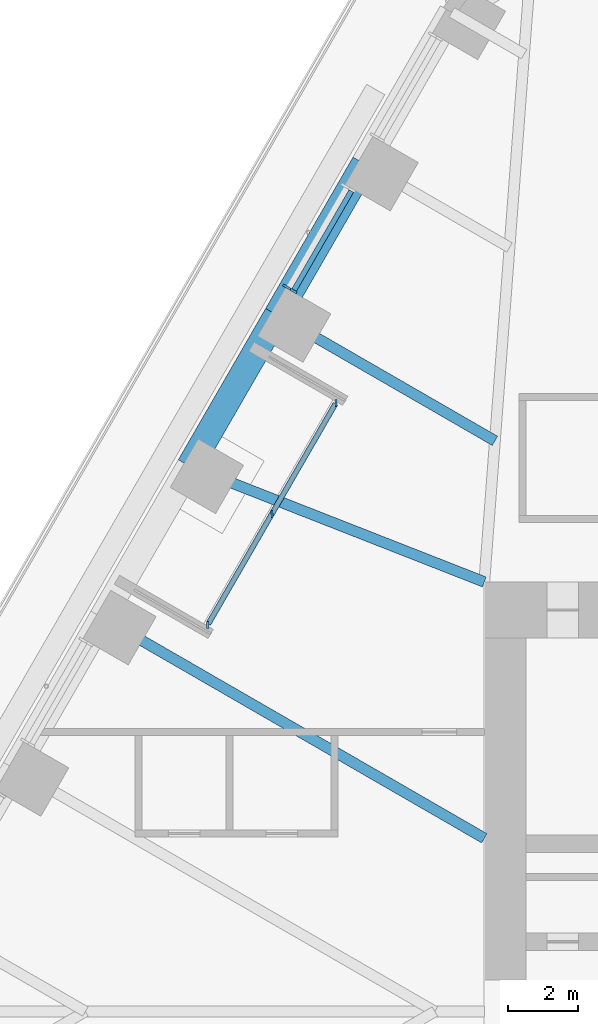
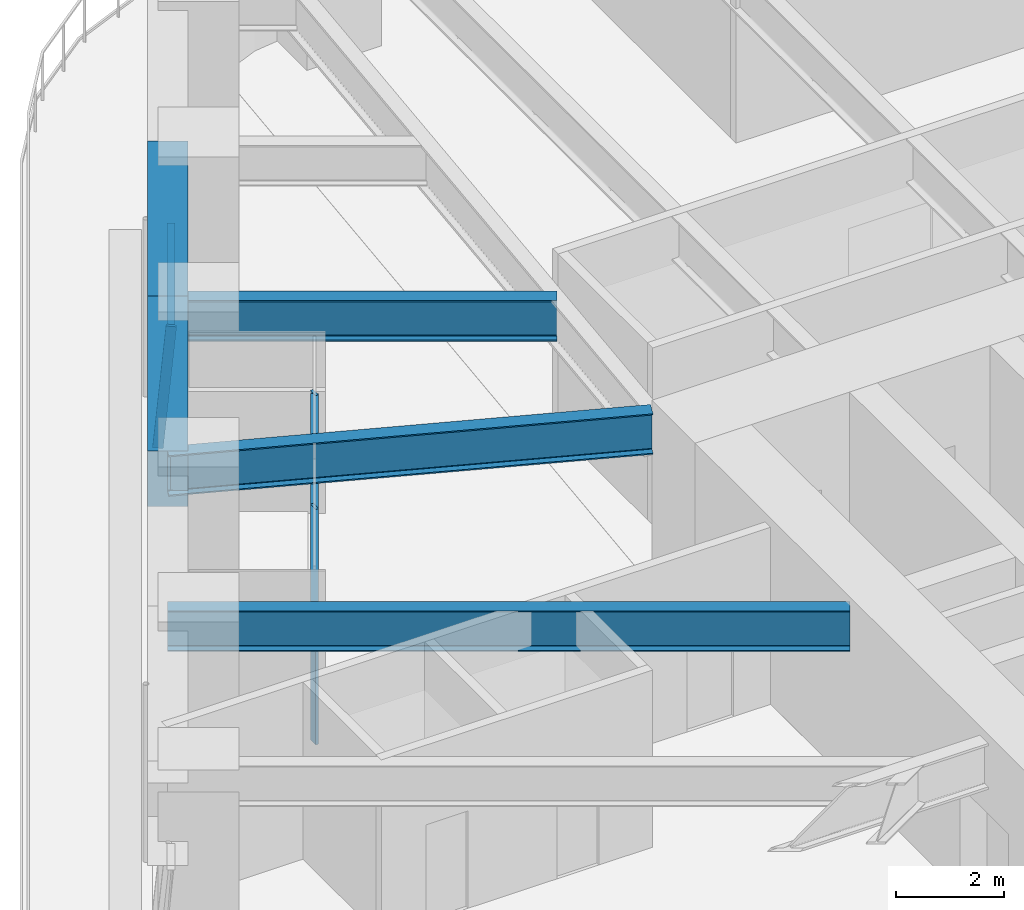
# One storey, part 8 of 24: 6 members, 5 beams, 2 elements without a shape of their own.
"""IFC4 building model written with IfcOpenShell, lengths in metres."""

from ifc_helpers import new_model, si_unit, direction, frame, origin, origin_2d, place, context, subcontext, project, spatial, rectangle, i_section, extrude, material, material_profile, profile_set, type_object, element, aggregate, save


model = new_model("IFC4")

# Units and contexts
model_context = context("Model", 3, precision=1e-05, world=origin(), true_north=direction((0.0, 1.0)))
body_context = subcontext(model_context, "Body", "Model", "MODEL_VIEW")
ifc_project = project(units=[si_unit("LENGTHUNIT", "METRE"), si_unit("AREAUNIT", "SQUARE_METRE"), si_unit("VOLUMEUNIT", "CUBIC_METRE"), si_unit("PLANEANGLEUNIT", "RADIAN"), si_unit("MASSUNIT", "GRAM", prefix="KILO")], contexts=[model_context])

# Site, building, storey
site_placement = place(None, origin())
site = spatial("IfcSite", under=ifc_project, at=site_placement, CompositionType="ELEMENT")
building_placement = place(site_placement, origin())
building = spatial("IfcBuilding", under=site, at=building_placement, Name="Tarfa Lantern Tower", CompositionType="ELEMENT")
storey_placement = place(building_placement, frame((0.0, 0.0, 140.5)))
storey = spatial("IfcBuildingStorey", under=building, at=storey_placement, Name="L31", CompositionType="ELEMENT", Elevation=140.5)

# Curtain wall, member
ifc_material_1 = material(Name="Aluminium framed curtain wall", Category="aluminium")
curtain_wall_type_1 = type_object("IfcCurtainWallType", Name="CW2 CANTED GLAZING MID ZONE 2750", PredefinedType="USERDEFINED", material=ifc_material_1)
curtain_wall_1_placement = place(storey_placement, origin())
curtain_wall_1 = element("IfcCurtainWall", 1, at=curtain_wall_1_placement, inside=storey, type_object=curtain_wall_type_1, Name="CW2 NW L31", ObjectType="CURTAIN WALL", PredefinedType="USERDEFINED")
ifc_material_2 = material(Name="Aluminium mullion", Category="aluminium")
ifc_material_profile_1 = material_profile(ifc_material_2, rectangle(XDim=0.06494140625, YDim=0.199951171875, at=origin_2d()), Name="AL MULLION 65x200")
ifc_profile_set_1 = profile_set([ifc_material_profile_1], Name="Aluminium mullion")
member_type_1 = type_object("IfcMemberType", Name="CWM1 MULLION 65x200", PredefinedType="MULLION", material=ifc_profile_set_1)
member_1_placement = place(storey_placement, frame((-24.275146484375, 20.75439453125, 0.0), z_axis=(0.078422950161, -0.045267813396, 0.995891894715), x_axis=(0.499919672301, 0.866071776036, 0.0)))
member_1 = element("IfcMember", 2, at=member_1_placement, type_object=member_type_1, Name="CW2 mullion 2", PredefinedType="MULLION", context=body_context, shape_type="SweptSolid", body=[
    extrude(rectangle(XDim=0.06494140625, YDim=0.199951171875, at=origin_2d()), origin(), (0.0, 0.0, 1.0), 2.76123046875),
])

# Curtain wall, members
curtain_wall_type_2 = type_object("IfcCurtainWallType", Name="CW10 LOGGIA GLAZING 2750", PredefinedType="USERDEFINED", material=ifc_material_1)
curtain_wall_2_placement = place(storey_placement, origin())
curtain_wall_2 = element("IfcCurtainWall", 3, at=curtain_wall_2_placement, inside=storey, type_object=curtain_wall_type_2, Name="CW10 NWL L31", ObjectType="CURTAIN WALL", PredefinedType="USERDEFINED")
member_2_placement = place(storey_placement, frame((-22.84619140625, 17.429443359375, 0.0), z_axis=(0.0, 0.0, 1.0), x_axis=(1.0, 0.0, 0.0)))
member_2 = element("IfcMember", 4, at=member_2_placement, type_object=member_type_1, Name="CW10 mullion 1", PredefinedType="MULLION", context=body_context, shape_type="SweptSolid", body=[
    extrude(rectangle(XDim=0.06494140625, YDim=0.199951171875, at=origin_2d()), origin(), (0.0, 0.0, 1.0), 2.75),
])
member_3_placement = place(storey_placement, frame((-24.681640625, 14.25, 0.0), z_axis=(0.0, 0.0, 1.0), x_axis=(1.0, 0.0, 0.0)))
member_3 = element("IfcMember", 5, at=member_3_placement, type_object=member_type_1, Name="CW10 mullion 2", PredefinedType="MULLION", context=body_context, shape_type="SweptSolid", body=[
    extrude(rectangle(XDim=0.06494140625, YDim=0.199951171875, at=origin_2d()), origin(), (0.0, 0.0, 1.0), 2.75),
])
member_4_placement = place(storey_placement, frame((-26.517333984375, 11.070556640625, 0.0), z_axis=(0.0, 0.0, 1.0), x_axis=(1.0, 0.0, 0.0)))
member_4 = element("IfcMember", 6, at=member_4_placement, type_object=member_type_1, Name="CW10 mullion 3", PredefinedType="MULLION", context=body_context, shape_type="SweptSolid", body=[
    extrude(rectangle(XDim=0.06494140625, YDim=0.199951171875, at=origin_2d()), origin(), (0.0, 0.0, 1.0), 2.75),
])

# Member
ifc_material_3 = material(Name="Aluminium transom", Category="aluminium")
ifc_material_profile_2 = material_profile(ifc_material_3, rectangle(XDim=0.14990234375, YDim=0.06494140625, at=origin_2d()), Name="AL TRANSOM 150x65")
ifc_profile_set_2 = profile_set([ifc_material_profile_2], Name="Aluminium transom")
member_type_2 = type_object("IfcMemberType", Name="CWT1 TRANSOM 150x65", PredefinedType="USERDEFINED", material=ifc_profile_set_2)
member_5_placement = place(storey_placement, frame((-22.407958984375, 23.494140625, 2.717529296875), z_axis=(-0.500012937857, -0.86601793398, 0.0), x_axis=(0.86601793398, -0.500012937857, 0.0)))
member_5 = element("IfcMember", 7, at=member_5_placement, type_object=member_type_2, Name="CW2 transom 1.2", ObjectType="TRANSOM", PredefinedType="USERDEFINED", context=body_context, shape_type="SweptSolid", body=[
    extrude(rectangle(XDim=0.14990234375, YDim=0.06494140625, at=origin_2d()), origin(), (0.0, 0.0, 1.0), 3.27392578125),
])

aggregate(curtain_wall_1, [member_1, member_5])

member_6_placement = place(storey_placement, frame((-22.8623046875, 17.401123046875, 2.717529296875), z_axis=(-0.500007048974, -0.866021334019, 0.0), x_axis=(0.866021334019, -0.500007048974, 0.0)))
member_6 = element("IfcMember", 8, at=member_6_placement, type_object=member_type_2, Name="CW10 transom 1.2", ObjectType="TRANSOM", PredefinedType="USERDEFINED", context=body_context, shape_type="SweptSolid", body=[
    extrude(rectangle(XDim=0.14990234375, YDim=0.06494140625, at=origin_2d()), origin(), (0.0, 0.0, 1.0), 7.27734375),
])

aggregate(curtain_wall_2, [member_2, member_3, member_4, member_6])

# Beams
ifc_material_4 = material(Name="Concrete C80/95", Category="concrete")
ifc_material_profile_3 = material_profile(ifc_material_4, rectangle(XDim=0.75, YDim=1.25, at=origin_2d()), Name="RC 750x1250")
ifc_profile_set_3 = profile_set([ifc_material_profile_3], Name="Concrete C80/95")
beam_type_1 = type_object("IfcBeamType", Name="EB2 RC 750x1250", PredefinedType="SPANDREL", material=ifc_profile_set_3)
for number, where, z_axis, x_axis, name in (
    (9, (-22.03369140625, 24.276611328125, 3.375), (-0.49998573051, -0.866033642122, 0.0), (0.866033642122, -0.49998573051, 0.0), "Edge beam NW1"),
    (10, (-24.535400390625, 19.943359375, 3.375), (-0.500022324899, -0.866012514114, 0.0), (0.866012514114, -0.500022324899, 0.0), "Edge beam NW2"),
):
    element("IfcBeam", number, at=place(storey_placement, frame(where, z_axis=z_axis, x_axis=x_axis)), inside=storey, type_object=beam_type_1, Name=name, PredefinedType="SPANDREL", context=body_context, shape_type="SweptSolid", body=[
        extrude(rectangle(XDim=0.75, YDim=1.25, at=origin_2d()), origin(), (0.0, 0.0, 1.0), 5.003662109375),
    ])
ifc_material_5 = material(Name="Steel S460M", Category="steel")
ifc_material_profile_4 = material_profile(ifc_material_5, i_section(OverallWidth=0.305419921875, OverallDepth=0.91845703125, WebThickness=0.017333984375, FlangeThickness=0.02783203125, FilletRadius=0.01904296875, at=origin_2d()), Name="UB914x305x253")
ifc_profile_set_4 = profile_set([ifc_material_profile_4], Name="Steel S460M")
beam_type_2 = type_object("IfcBeamType", Name="UB914x305x253", PredefinedType="BEAM", material=ifc_profile_set_4)
beam_1_placement = place(storey_placement, frame((-24.535400390625, 19.943359375, 3.540771484375), z_axis=(0.86602647304, -0.499998147991, 0.0), x_axis=(0.499998147991, 0.86602647304, 0.0)))
element("IfcBeam", 11, at=beam_1_placement, inside=storey, type_object=beam_type_2, Name="Floor beam NW2", PredefinedType="BEAM", context=body_context, shape_type="SweptSolid", body=[
    extrude(i_section(OverallWidth=0.305419921875, OverallDepth=0.91845703125, WebThickness=0.017333984375, FlangeThickness=0.02783203125, FilletRadius=0.01904296875, at=origin_2d()), origin(), (0.0, 0.0, 1.0), 7.20556640625),
])
beam_2_placement = place(storey_placement, frame((-27.037353515625, 15.610107421875, 3.540771484375), z_axis=(0.930923282782, -0.365214788274, 0.0), x_axis=(0.365214788274, 0.930923282782, 0.0)))
element("IfcBeam", 12, at=beam_2_placement, inside=storey, type_object=beam_type_2, Name="Floor beam NW3", PredefinedType="BEAM", context=body_context, shape_type="SweptSolid", body=[
    extrude(i_section(OverallWidth=0.305419921875, OverallDepth=0.91845703125, WebThickness=0.017333984375, FlangeThickness=0.02783203125, FilletRadius=0.01904296875, at=origin_2d()), origin(), (0.0, 0.0, 1.0), 9.063232421875),
])
beam_3_placement = place(storey_placement, frame((-29.5390625, 11.276611328125, 3.540771484375), z_axis=(0.866023362995, -0.500003534735, 0.0), x_axis=(0.500003534735, 0.866023362995, 0.0)))
element("IfcBeam", 13, at=beam_3_placement, inside=storey, type_object=beam_type_2, Name="Floor beam NW4", PredefinedType="BEAM", context=body_context, shape_type="SweptSolid", body=[
    extrude(i_section(OverallWidth=0.305419921875, OverallDepth=0.91845703125, WebThickness=0.017333984375, FlangeThickness=0.02783203125, FilletRadius=0.01904296875, at=origin_2d()), origin(), (0.0, 0.0, 1.0), 12.63134765625),
])

save(model, "model.ifc")
